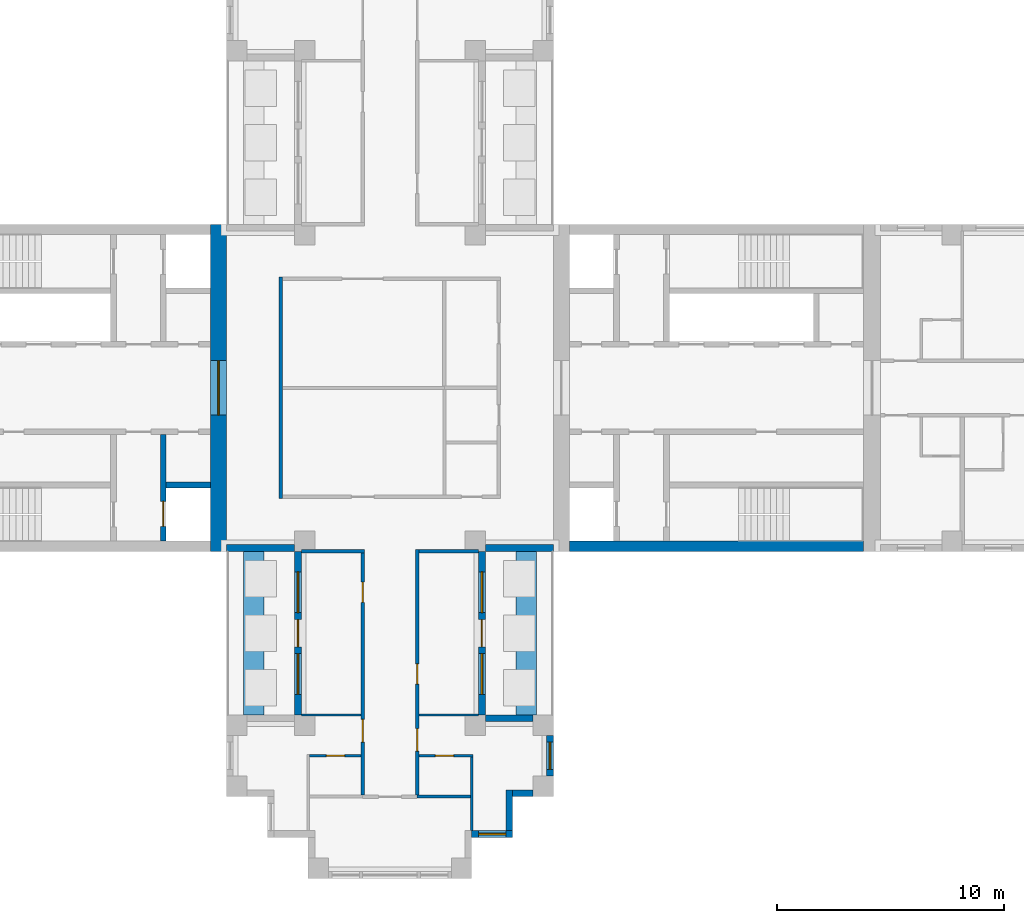
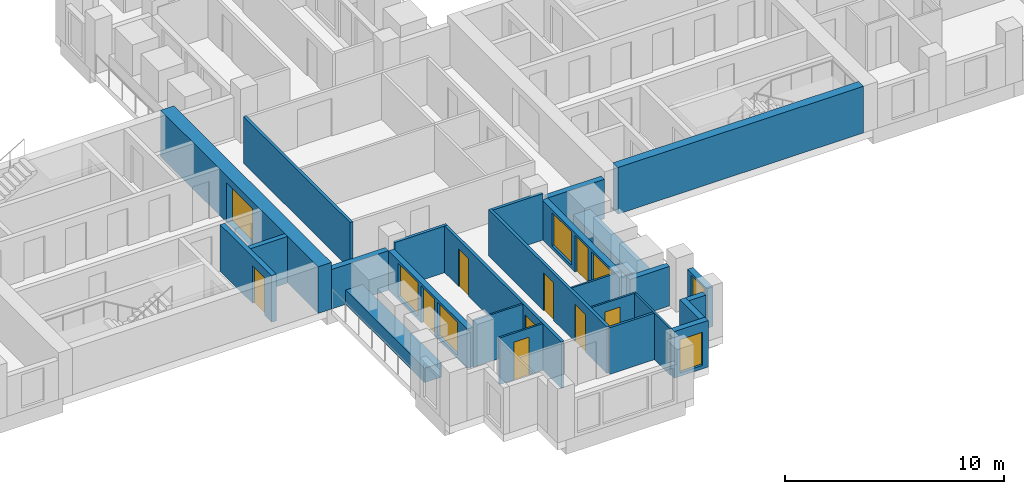
# One storey, part 5 of 12: 26 walls, 10 doors, 6 windows, 16 openings.
"""IFC4 building model written with IfcOpenShell, lengths in metres."""

from ifc_helpers import new_model, si_unit, direction, frame, frame_2d, origin, place, context, subcontext, project, spatial, rectangle, extrude, material, layer, layer_set, type_object, element, fill, save


model = new_model("IFC4")

# Units and contexts
model_context = context("Model", 3, precision=1e-05, world=origin(), true_north=direction((0.0, 1.0)))
body_context = subcontext(model_context, "Body", "Model", "MODEL_VIEW")
ifc_project = project(units=[si_unit("LENGTHUNIT", "METRE"), si_unit("AREAUNIT", "SQUARE_METRE"), si_unit("VOLUMEUNIT", "CUBIC_METRE"), si_unit("PLANEANGLEUNIT", "RADIAN"), si_unit("MASSUNIT", "GRAM", prefix="KILO")], contexts=[model_context])

# Site, building, storey
site_placement = place(None, origin())
site = spatial("IfcSite", under=ifc_project, at=site_placement, CompositionType="ELEMENT")
building_placement = place(site_placement, origin())
building = spatial("IfcBuilding", under=site, at=building_placement, Name="Fustian Cross Tower", CompositionType="ELEMENT")
storey_placement = place(building_placement, frame((0.0, 0.0, 132.300048828125)))
storey = spatial("IfcBuildingStorey", under=building, at=storey_placement, Name="L41", CompositionType="ELEMENT", Elevation=132.300048828125)

# Walls
ifc_material_1 = material(Name="Plasterboard on steel stud", Category="steel")
ifc_layer_1 = layer(ifc_material_1, 0.14990234375)
ifc_layer_set_1 = layer_set([ifc_layer_1], Name="Plasterboard on steel stud")
wall_type_1 = type_object("IfcWallType", Name="COMPARTMENT WALL 150 EI 60", PredefinedType="PARTITIONING", material=ifc_layer_set_1)
wall_1_placement = place(storey_placement, frame((-4.800048828125, -4.875, 0.0), z_axis=(0.0, 0.0, 1.0), x_axis=(0.0, 1.0, 0.0)))
element("IfcWall", 1, at=wall_1_placement, inside=storey, type_object=wall_type_1, Name="Partition 16", PredefinedType="PARTITIONING", context=body_context, shape_type="SweptSolid", body=[
    extrude(rectangle(XDim=9.75, YDim=0.14990234375, at=frame_2d((4.875, 0.0))), origin(), (0.0, 0.0, 1.0), 2.599853515625),
])
wall_2_placement = place(storey_placement, frame((-3.89990234375, -7.199951171875, 0.0), z_axis=(0.0, 0.0, 1.0), x_axis=(1.0, 0.0, 0.0)))
element("IfcWall", 2, at=wall_2_placement, inside=storey, type_object=wall_type_1, Name="Partition 21", PredefinedType="PARTITIONING", context=body_context, shape_type="SweptSolid", body=[
    extrude(rectangle(XDim=2.77490234375, YDim=0.14990234375, at=frame_2d((1.387451171875, 0.0))), origin(), (0.0, 0.0, 1.0), 2.599853515625),
])

# Wall, openings, doors
wall_3_placement = place(storey_placement, frame((-1.199951171875, -17.925048828125, 0.0), z_axis=(0.0, 0.0, 1.0), x_axis=(0.0, 1.0, 0.0)))
wall_3 = element("IfcWall", 3, at=wall_3_placement, inside=storey, type_object=wall_type_1, Name="Partition 29", PredefinedType="PARTITIONING", context=body_context, shape_type="SweptSolid", body=[
    extrude(rectangle(XDim=10.650146484375, YDim=0.14990234375, at=frame_2d((5.3251953125, 0.0))), origin(), (0.0, 0.0, 1.0), 2.599853515625),
])
opening_1_placement = place(wall_3_placement, frame((8.47509765625, 0.0, 0.0)))
opening_1 = element("IfcOpeningElement", 4, at=opening_1_placement, cuts=wall_3, Name="Opening D19034", PredefinedType="OPENING", context=body_context, shape_type="SweptSolid", body=[
    extrude(rectangle(XDim=0.89990234375, YDim=2.10009765625, at=frame_2d((0.449951171875, 1.050048828125))), frame((0.0, 0.0849609375, 0.0), z_axis=(0.0, -1.0, 0.0), x_axis=(1.0, 0.0, 0.0)), (0.0, 0.0, 1.0), 0.169921875),
])
opening_2_placement = place(wall_3_placement, frame((2.324951171875, 0.0, 0.0)))
opening_2 = element("IfcOpeningElement", 5, at=opening_2_placement, cuts=wall_3, Name="Opening D19036", PredefinedType="OPENING", context=body_context, shape_type="SweptSolid", body=[
    extrude(rectangle(XDim=1.0, YDim=2.10009765625, at=frame_2d((0.5, 1.050048828125))), frame((0.0, 0.0849609375, 0.0), z_axis=(0.0, -1.0, 0.0), x_axis=(1.0, 0.0, 0.0)), (0.0, 0.0, 1.0), 0.169921875),
])
ifc_material_2 = material(Name="Timber fire door set", Category="wood")
door_type_1 = type_object("IfcDoorType", Name="FIRE SWING DOOR 1000 FD30S", OperationType="SINGLE_SWING_LEFT", PredefinedType="DOOR", material=ifc_material_2)
door_1_placement = place(opening_2_placement, origin())
door_1 = element("IfcDoor", 6, at=door_1_placement, inside=storey, type_object=door_type_1, Name="Door D19036", OperationType="SINGLE_SWING_RIGHT", OverallHeight=2.10009765625, OverallWidth=1.0, PredefinedType="DOOR", context=body_context, shape_type="SweptSolid", body=[
    extrude(rectangle(XDim=1.0, YDim=2.10009765625, at=frame_2d((0.5, 1.050048828125))), frame((0.0, 0.02490234375, 0.0), z_axis=(0.0, -1.0, 0.0), x_axis=(1.0, 0.0, 0.0)), (0.0, 0.0, 1.0), 0.050048828125),
])
fill(opening_2, door_1)
ifc_material_3 = material(Name="Timber fire door set", Category="wood")
door_type_2 = type_object("IfcDoorType", Name="FIRE SWING DOOR 900 FD30S", OperationType="SINGLE_SWING_LEFT", PredefinedType="DOOR", material=ifc_material_3)
door_2_placement = place(opening_1_placement, origin())
door_2 = element("IfcDoor", 7, at=door_2_placement, inside=storey, type_object=door_type_2, Name="Door D19034", OperationType="SINGLE_SWING_RIGHT", OverallHeight=2.10009765625, OverallWidth=0.89990234375, PredefinedType="DOOR", context=body_context, shape_type="SweptSolid", body=[
    extrude(rectangle(XDim=0.89990234375, YDim=2.10009765625, at=frame_2d((0.449951171875, 1.050048828125))), frame((0.0, 0.02490234375, 0.0), z_axis=(0.0, -1.0, 0.0), x_axis=(1.0, 0.0, 0.0)), (0.0, 0.0, 1.0), 0.050048828125),
])
fill(opening_1, door_2)

wall_4_placement = place(storey_placement, frame((1.199951171875, -17.925048828125, 0.0), z_axis=(0.0, 0.0, 1.0), x_axis=(0.0, 1.0, 0.0)))
wall_4 = element("IfcWall", 8, at=wall_4_placement, inside=storey, type_object=wall_type_1, Name="Partition 33", PredefinedType="PARTITIONING", context=body_context, shape_type="SweptSolid", body=[
    extrude(rectangle(XDim=10.800048828125, YDim=0.14990234375, at=frame_2d((5.39990234375, 0.0))), origin(), (0.0, 0.0, 1.0), 2.599853515625),
])
opening_3_placement = place(wall_4_placement, frame((4.875, 0.0, 0.0)))
opening_3 = element("IfcOpeningElement", 9, at=opening_3_placement, cuts=wall_4, Name="Opening D19031", PredefinedType="OPENING", context=body_context, shape_type="SweptSolid", body=[
    extrude(rectangle(XDim=0.89990234375, YDim=2.10009765625, at=frame_2d((0.449951171875, 1.050048828125))), frame((0.0, 0.0849609375, 0.0), z_axis=(0.0, -1.0, 0.0), x_axis=(1.0, 0.0, 0.0)), (0.0, 0.0, 1.0), 0.169921875),
])
opening_4_placement = place(wall_4_placement, frame((1.925048828125, 0.0, 0.0)))
opening_4 = element("IfcOpeningElement", 10, at=opening_4_placement, cuts=wall_4, Name="Opening D19033", PredefinedType="OPENING", context=body_context, shape_type="SweptSolid", body=[
    extrude(rectangle(XDim=1.0, YDim=2.10009765625, at=frame_2d((0.5, 1.050048828125))), frame((0.0, 0.0849609375, 0.0), z_axis=(0.0, -1.0, 0.0), x_axis=(1.0, 0.0, 0.0)), (0.0, 0.0, 1.0), 0.169921875),
])
door_3_placement = place(opening_4_placement, frame((1.0, 0.0, 0.0), z_axis=(0.0, 0.0, 1.0), x_axis=(-1.0, 0.0, 0.0)))
door_3 = element("IfcDoor", 11, at=door_3_placement, inside=storey, type_object=door_type_1, Name="Door D19033", OperationType="SINGLE_SWING_RIGHT", OverallHeight=2.10009765625, OverallWidth=1.0, PredefinedType="DOOR", context=body_context, shape_type="SweptSolid", body=[
    extrude(rectangle(XDim=1.0, YDim=2.10009765625, at=frame_2d((0.5, 1.050048828125))), frame((0.0, 0.02490234375, 0.0), z_axis=(0.0, -1.0, 0.0), x_axis=(1.0, 0.0, 0.0)), (0.0, 0.0, 1.0), 0.050048828125),
])
fill(opening_4, door_3)
door_4_placement = place(opening_3_placement, frame((0.89990234375, 0.0, 0.0), z_axis=(0.0, 0.0, 1.0), x_axis=(-1.0, 0.0, 0.0)))
door_4 = element("IfcDoor", 12, at=door_4_placement, inside=storey, type_object=door_type_2, Name="Door D19031", OperationType="SINGLE_SWING_RIGHT", OverallHeight=2.10009765625, OverallWidth=0.89990234375, PredefinedType="DOOR", context=body_context, shape_type="SweptSolid", body=[
    extrude(rectangle(XDim=0.89990234375, YDim=2.10009765625, at=frame_2d((0.449951171875, 1.050048828125))), frame((0.0, 0.02490234375, 0.0), z_axis=(0.0, -1.0, 0.0), x_axis=(1.0, 0.0, 0.0)), (0.0, 0.0, 1.0), 0.050048828125),
])
fill(opening_3, door_4)

# Wall
wall_5_placement = place(storey_placement, frame((1.27490234375, -7.199951171875, 0.0), z_axis=(0.0, 0.0, 1.0), x_axis=(1.0, 0.0, 0.0)))
element("IfcWall", 13, at=wall_5_placement, inside=storey, type_object=wall_type_1, Name="Partition 37", PredefinedType="PARTITIONING", context=body_context, shape_type="SweptSolid", body=[
    extrude(rectangle(XDim=2.625, YDim=0.14990234375, at=frame_2d((1.3125, 0.0))), origin(), (0.0, 0.0, 1.0), 2.599853515625),
])

# Wall, opening, door
ifc_material_4 = material(Name="Concrete C60/75", Category="concrete")
ifc_layer_2 = layer(ifc_material_4, 0.699951171875)
ifc_layer_set_2 = layer_set([ifc_layer_2], Name="Concrete C60/75")
wall_type_2 = type_object("IfcWallType", Name="CORE END WALL 700 C60/75", PredefinedType="SHEAR", material=ifc_layer_set_2)
wall_6_placement = place(storey_placement, frame((-7.550048828125, -7.199951171875, 0.0), z_axis=(0.0, 0.0, 1.0), x_axis=(0.0, 1.0, 0.0)))
wall_6 = element("IfcWall", 14, at=wall_6_placement, inside=storey, type_object=wall_type_2, Name="Core end wall", PredefinedType="SHEAR", context=body_context, shape_type="SweptSolid", body=[
    extrude(rectangle(XDim=14.39990234375, YDim=0.699951171875, at=frame_2d((7.199951171875, 0.0))), origin(), (0.0, 0.0, 1.0), 2.599853515625),
])
opening_5_placement = place(wall_6_placement, frame((6.0, 0.0, 0.0)))
opening_5 = element("IfcOpeningElement", 15, at=opening_5_placement, cuts=wall_6, Name="Opening CD-17-27", PredefinedType="OPENING", context=body_context, shape_type="SweptSolid", body=[
    extrude(rectangle(XDim=2.39990234375, YDim=2.199951171875, at=frame_2d((1.199951171875, 1.10009765625))), frame((0.0, 0.35986328125, 0.0), z_axis=(0.0, -1.0, 0.0), x_axis=(1.0, 0.0, 0.0)), (0.0, 0.0, 1.0), 0.719970703125),
])
ifc_material_5 = material(Name="Steel", Category="steel")
door_type_3 = type_object("IfcDoorType", Name="FIRE DOOR FD30S DOUBLE 2400X2200", OperationType="DOUBLE_DOOR_DOUBLE_SWING", PredefinedType="DOOR", material=ifc_material_5)
door_5_placement = place(opening_5_placement, origin())
door_5 = element("IfcDoor", 16, at=door_5_placement, inside=storey, type_object=door_type_3, Name="Core door CD-17-27", OperationType="DOUBLE_DOOR_DOUBLE_SWING", OverallHeight=2.199951171875, OverallWidth=2.39990234375, PredefinedType="DOOR", context=body_context, shape_type="SweptSolid", body=[
    extrude(rectangle(XDim=2.39990234375, YDim=2.199951171875, at=frame_2d((1.199951171875, 1.10009765625))), frame((0.0, 0.02490234375, 0.0), z_axis=(0.0, -1.0, 0.0), x_axis=(1.0, 0.0, 0.0)), (0.0, 0.0, 1.0), 0.050048828125),
])
fill(opening_5, door_5)

# Walls
ifc_material_6 = material(Name="Concrete C60/75", Category="concrete")
ifc_layer_3 = layer(ifc_material_6, 0.449951171875)
ifc_layer_set_3 = layer_set([ifc_layer_3], Name="Concrete C60/75")
wall_type_3 = type_object("IfcWallType", Name="CORE FACADE WALL 450 C60/75", PredefinedType="SHEAR", material=ifc_layer_set_3)
wall_7_placement = place(storey_placement, frame((7.89990234375, -6.97509765625, 0.0), z_axis=(0.0, 0.0, 1.0), x_axis=(1.0, 0.0, 0.0)))
element("IfcWall", 17, at=wall_7_placement, inside=storey, type_object=wall_type_3, Name="Core facade wall", PredefinedType="SHEAR", context=body_context, shape_type="SweptSolid", body=[
    extrude(rectangle(XDim=12.9501953125, YDim=0.449951171875, at=frame_2d((6.47509765625, 0.0))), origin(), (0.0, 0.0, 1.0), 2.599853515625),
])
ifc_material_7 = material(Name="Concrete C50/60", Category="concrete")
ifc_layer_4 = layer(ifc_material_7, 0.25)
ifc_layer_set_4 = layer_set([ifc_layer_4], Name="Concrete C50/60")
wall_type_4 = type_object("IfcWallType", Name="CORE SHAFT WALL 250 C50/60", PredefinedType="SHEAR", material=ifc_layer_set_4)
wall_8_placement = place(storey_placement, frame((-7.89990234375, -4.27490234375, 0.0), z_axis=(0.0, 0.0, 1.0), x_axis=(-1.0, 0.0, 0.0)))
element("IfcWall", 18, at=wall_8_placement, inside=storey, type_object=wall_type_4, Name="Core shaft wall", PredefinedType="SHEAR", context=body_context, shape_type="SweptSolid", body=[
    extrude(rectangle(XDim=1.9501953125, YDim=0.25, at=frame_2d((0.97509765625, 0.0))), origin(), (0.0, 0.0, 1.0), 2.599853515625),
])

# Wall, opening, door
wall_9_placement = place(storey_placement, frame((-9.97509765625, -2.050048828125, 0.0), z_axis=(0.0, 0.0, 1.0), x_axis=(0.0, -1.0, 0.0)))
wall_9 = element("IfcWall", 19, at=wall_9_placement, inside=storey, type_object=wall_type_4, Name="Core shaft wall", PredefinedType="SHEAR", context=body_context, shape_type="SweptSolid", body=[
    extrude(rectangle(XDim=4.699951171875, YDim=0.25, at=frame_2d((2.35009765625, 0.0))), origin(), (0.0, 0.0, 1.0), 2.599853515625),
])
opening_6_placement = place(wall_9_placement, frame((2.949951171875, 0.0, 0.0)))
opening_6 = element("IfcOpeningElement", 20, at=opening_6_placement, cuts=wall_9, Name="Opening LD", PredefinedType="OPENING", context=body_context, shape_type="SweptSolid", body=[
    extrude(rectangle(XDim=1.10009765625, YDim=2.10009765625, at=frame_2d((0.550048828125, 1.050048828125))), frame((0.0, 0.135009765625, 0.0), z_axis=(0.0, -1.0, 0.0), x_axis=(1.0, 0.0, 0.0)), (0.0, 0.0, 1.0), 0.27001953125),
])
ifc_material_8 = material(Name="Stainless steel", Category="steel")
door_type_4 = type_object("IfcDoorType", Name="LIFT LANDING DOOR 1100X2100", OperationType="SLIDING_TO_LEFT", PredefinedType="DOOR", material=ifc_material_8)
door_6_placement = place(opening_6_placement, origin())
door_6 = element("IfcDoor", 21, at=door_6_placement, inside=storey, type_object=door_type_4, Name="Landing door SV1W", OperationType="SLIDING_TO_LEFT", OverallHeight=2.10009765625, OverallWidth=1.10009765625, PredefinedType="DOOR", context=body_context, shape_type="SweptSolid", body=[
    extrude(rectangle(XDim=1.10009765625, YDim=2.10009765625, at=frame_2d((0.550048828125, 1.050048828125))), frame((0.0, 0.02490234375, 0.0), z_axis=(0.0, -1.0, 0.0), x_axis=(1.0, 0.0, 0.0)), (0.0, 0.0, 1.0), 0.050048828125),
])
fill(opening_6, door_6)

# Wall
ifc_material_9 = material(Name="Plasterboard on steel stud", Category="steel")
ifc_layer_5 = layer(ifc_material_9, 0.10009765625)
ifc_layer_set_5 = layer_set([ifc_layer_5], Name="Plasterboard on steel stud")
wall_type_5 = type_object("IfcWallType", Name="PARTITION 100 STUD", PredefinedType="PARTITIONING", material=ifc_layer_set_5)
wall_10_placement = place(storey_placement, frame((-3.89990234375, -14.39990234375, 0.0), z_axis=(0.0, 0.0, 1.0), x_axis=(1.0, 0.0, 0.0)))
element("IfcWall", 22, at=wall_10_placement, inside=storey, type_object=wall_type_5, Name="Partition 20", PredefinedType="PARTITIONING", context=body_context, shape_type="SweptSolid", body=[
    extrude(rectangle(XDim=2.625, YDim=0.10009765625, at=frame_2d((1.3125, 0.0))), origin(), (0.0, 0.0, 1.0), 2.599853515625),
])

# Wall, opening, door
wall_11_placement = place(storey_placement, frame((-3.550048828125, -16.199951171875, 0.0), z_axis=(0.0, 0.0, 1.0), x_axis=(1.0, 0.0, 0.0)))
wall_11 = element("IfcWall", 23, at=wall_11_placement, inside=storey, type_object=wall_type_5, Name="Partition 26", PredefinedType="PARTITIONING", context=body_context, shape_type="SweptSolid", body=[
    extrude(rectangle(XDim=2.275146484375, YDim=0.10009765625, at=frame_2d((1.1376953125, 0.0))), origin(), (0.0, 0.0, 1.0), 2.599853515625),
])
opening_7_placement = place(wall_11_placement, frame((0.75, 0.0, 0.0)))
opening_7 = element("IfcOpeningElement", 24, at=opening_7_placement, cuts=wall_11, Name="Opening D19035", PredefinedType="OPENING", context=body_context, shape_type="SweptSolid", body=[
    extrude(rectangle(XDim=0.800048828125, YDim=2.10009765625, at=frame_2d((0.39990234375, 1.050048828125))), frame((0.0, 0.06005859375, 0.0), z_axis=(0.0, -1.0, 0.0), x_axis=(1.0, 0.0, 0.0)), (0.0, 0.0, 1.0), 0.1201171875),
])
ifc_material_10 = material(Name="Painted timber", Category="wood")
door_type_5 = type_object("IfcDoorType", Name="SWING DOOR 800", OperationType="SINGLE_SWING_LEFT", PredefinedType="DOOR", material=ifc_material_10)
door_7_placement = place(opening_7_placement, frame((0.800048828125, 0.0, 0.0), z_axis=(0.0, 0.0, 1.0), x_axis=(-1.0, 0.0, 0.0)))
door_7 = element("IfcDoor", 25, at=door_7_placement, inside=storey, type_object=door_type_5, Name="Door D19035", OperationType="SINGLE_SWING_RIGHT", OverallHeight=2.10009765625, OverallWidth=0.800048828125, PredefinedType="DOOR", context=body_context, shape_type="SweptSolid", body=[
    extrude(rectangle(XDim=0.800048828125, YDim=2.10009765625, at=frame_2d((0.39990234375, 1.050048828125))), frame((0.0, 0.02490234375, 0.0), z_axis=(0.0, -1.0, 0.0), x_axis=(1.0, 0.0, 0.0)), (0.0, 0.0, 1.0), 0.050048828125),
])
fill(opening_7, door_7)

wall_12_placement = place(storey_placement, frame((1.27490234375, -16.199951171875, 0.0), z_axis=(0.0, 0.0, 1.0), x_axis=(1.0, 0.0, 0.0)))
wall_12 = element("IfcWall", 26, at=wall_12_placement, inside=storey, type_object=wall_type_5, Name="Partition 35", PredefinedType="PARTITIONING", context=body_context, shape_type="SweptSolid", body=[
    extrude(rectangle(XDim=2.375, YDim=0.10009765625, at=frame_2d((1.1875, 0.0))), origin(), (0.0, 0.0, 1.0), 2.599853515625),
])
opening_8_placement = place(wall_12_placement, frame((0.72509765625, 0.0, 0.0)))
opening_8 = element("IfcOpeningElement", 27, at=opening_8_placement, cuts=wall_12, Name="Opening D19032", PredefinedType="OPENING", context=body_context, shape_type="SweptSolid", body=[
    extrude(rectangle(XDim=0.800048828125, YDim=2.10009765625, at=frame_2d((0.39990234375, 1.050048828125))), frame((0.0, 0.06005859375, 0.0), z_axis=(0.0, -1.0, 0.0), x_axis=(1.0, 0.0, 0.0)), (0.0, 0.0, 1.0), 0.1201171875),
])
door_8_placement = place(opening_8_placement, frame((0.800048828125, 0.0, 0.0), z_axis=(0.0, 0.0, 1.0), x_axis=(-1.0, 0.0, 0.0)))
door_8 = element("IfcDoor", 28, at=door_8_placement, inside=storey, type_object=door_type_5, Name="Door D19032", OperationType="SINGLE_SWING_RIGHT", OverallHeight=2.10009765625, OverallWidth=0.800048828125, PredefinedType="DOOR", context=body_context, shape_type="SweptSolid", body=[
    extrude(rectangle(XDim=0.800048828125, YDim=2.10009765625, at=frame_2d((0.39990234375, 1.050048828125))), frame((0.0, 0.02490234375, 0.0), z_axis=(0.0, -1.0, 0.0), x_axis=(1.0, 0.0, 0.0)), (0.0, 0.0, 1.0), 0.050048828125),
])
fill(opening_8, door_8)

# Walls
wall_13_placement = place(storey_placement, frame((1.27490234375, -14.39990234375, 0.0), z_axis=(0.0, 0.0, 1.0), x_axis=(1.0, 0.0, 0.0)))
element("IfcWall", 29, at=wall_13_placement, inside=storey, type_object=wall_type_5, Name="Partition 36", PredefinedType="PARTITIONING", context=body_context, shape_type="SweptSolid", body=[
    extrude(rectangle(XDim=2.625, YDim=0.10009765625, at=frame_2d((1.3125, 0.0))), origin(), (0.0, 0.0, 1.0), 2.599853515625),
])
wall_14_placement = place(storey_placement, frame((3.60009765625, -19.5, 0.0), z_axis=(0.0, 0.0, 1.0), x_axis=(0.0, 1.0, 0.0)))
element("IfcWall", 30, at=wall_14_placement, inside=storey, type_object=wall_type_5, Name="Partition 46", PredefinedType="PARTITIONING", context=body_context, shape_type="SweptSolid", body=[
    extrude(rectangle(XDim=3.25, YDim=0.10009765625, at=frame_2d((1.625, 0.0))), origin(), (0.0, 0.0, 1.0), 2.599853515625),
])
ifc_material_11 = material(Name="Concrete C40/50", Category="concrete")
ifc_layer_6 = layer(ifc_material_11, 0.89990234375)
ifc_layer_set_6 = layer_set([ifc_layer_6], Name="Concrete C40/50")
wall_type_6 = type_object("IfcWallType", Name="PK1 PLANTER 900", PredefinedType="PARAPET", material=ifc_layer_set_6)
for number, where, z_axis, x_axis, name in (
    (31, (6.0, -14.39990234375, 0.0), (0.0, 0.0, 1.0), (0.0, 1.0, 0.0), "PLANTER"),
    (32, (-6.0, -14.39990234375, 0.0), (0.0, 0.0, 1.0), (0.0, 1.0, 0.0), "PLANTER"),
):
    element("IfcWall", number, at=place(storey_placement, frame(where, z_axis=z_axis, x_axis=x_axis)), inside=storey, type_object=wall_type_6, Name=name, PredefinedType="PARAPET", context=body_context, shape_type="SweptSolid", body=[
        extrude(rectangle(XDim=7.199951171875, YDim=0.89990234375, at=frame_2d((3.60009765625, 0.0))), origin(), (0.0, 0.0, 1.0), 0.800048828125),
    ])
ifc_material_12 = material(Name="Plasterboard on steel stud", Category="steel")
ifc_layer_7 = layer(ifc_material_12, 0.125)
ifc_layer_set_7 = layer_set([ifc_layer_7], Name="Plasterboard on steel stud")
wall_type_7 = type_object("IfcWallType", Name="WET WALL 125 STUD", PredefinedType="PARTITIONING", material=ifc_layer_set_7)
wall_15_placement = place(storey_placement, frame((1.199951171875, -18.0, 0.0), z_axis=(0.0, 0.0, 1.0), x_axis=(1.0, 0.0, 0.0)))
element("IfcWall", 33, at=wall_15_placement, inside=storey, type_object=wall_type_7, Name="Partition 34", PredefinedType="PARTITIONING", context=body_context, shape_type="SweptSolid", body=[
    extrude(rectangle(XDim=2.35009765625, YDim=0.125, at=frame_2d((1.175048828125, 0.0))), origin(), (0.0, 0.0, 1.0), 2.599853515625),
])
ifc_material_13 = material(Name="Dark aluminium cladding on insulated backing wall", Category="aluminium")
ifc_layer_8 = layer(ifc_material_13, 0.300048828125)
ifc_layer_set_8 = layer_set([ifc_layer_8], Name="Dark aluminium cladding on insulated backing wall")
wall_type_8 = type_object("IfcWallType", Name="XW1 EXTERNAL WALL 300", PredefinedType="SOLIDWALL", material=ifc_layer_set_8)
wall_16_placement = place(storey_placement, frame((-7.199951171875, -7.050048828125, 0.0), z_axis=(0.0, 0.0, 1.0), x_axis=(1.0, 0.0, 0.0)))
element("IfcWall", 34, at=wall_16_placement, inside=storey, type_object=wall_type_8, Name="External wall", PredefinedType="SOLIDWALL", context=body_context, shape_type="SweptSolid", body=[
    extrude(rectangle(XDim=3.0, YDim=0.300048828125, at=frame_2d((1.5, 0.0))), origin(), (0.0, 0.0, 1.0), 2.199951171875),
])

# Wall, openings, door, windows
wall_17_placement = place(storey_placement, frame((-4.050048828125, -7.199951171875, 0.0), z_axis=(0.0, 0.0, 1.0), x_axis=(0.0, -1.0, 0.0)))
wall_17 = element("IfcWall", 35, at=wall_17_placement, inside=storey, type_object=wall_type_8, Name="External wall", PredefinedType="SOLIDWALL", context=body_context, shape_type="SweptSolid", body=[
    extrude(rectangle(XDim=7.199951171875, YDim=0.300048828125, at=frame_2d((3.60009765625, 0.0))), origin(), (0.0, 0.0, 1.0), 2.199951171875),
])
opening_9_placement = place(wall_17_placement, frame((3.0, 0.0, 0.0)))
opening_9 = element("IfcOpeningElement", 36, at=opening_9_placement, cuts=wall_17, Name="Opening XD4", PredefinedType="OPENING", context=body_context, shape_type="SweptSolid", body=[
    extrude(rectangle(XDim=1.199951171875, YDim=2.050048828125, at=frame_2d((0.60009765625, 1.02490234375))), frame((0.0, 0.159912109375, 0.0), z_axis=(0.0, -1.0, 0.0), x_axis=(1.0, 0.0, 0.0)), (0.0, 0.0, 1.0), 0.320068359375),
])
opening_10_placement = place(wall_17_placement, frame((0.89990234375, 0.0, 0.199951171875)))
opening_10 = element("IfcOpeningElement", 37, at=opening_10_placement, cuts=wall_17, Name="Opening WN2", PredefinedType="OPENING", context=body_context, shape_type="SweptSolid", body=[
    extrude(rectangle(XDim=1.800048828125, YDim=1.85009765625, at=frame_2d((0.89990234375, 0.925048828125))), frame((0.0, 0.159912109375, 0.0), z_axis=(0.0, -1.0, 0.0), x_axis=(1.0, 0.0, 0.0)), (0.0, 0.0, 1.0), 0.320068359375),
])
opening_11_placement = place(wall_17_placement, frame((4.5, 0.0, 0.199951171875)))
opening_11 = element("IfcOpeningElement", 38, at=opening_11_placement, cuts=wall_17, Name="Opening WN2", PredefinedType="OPENING", context=body_context, shape_type="SweptSolid", body=[
    extrude(rectangle(XDim=1.800048828125, YDim=1.85009765625, at=frame_2d((0.89990234375, 0.925048828125))), frame((0.0, 0.159912109375, 0.0), z_axis=(0.0, -1.0, 0.0), x_axis=(1.0, 0.0, 0.0)), (0.0, 0.0, 1.0), 0.320068359375),
])
ifc_material_14 = material(Name="Dark anodised aluminium and double glazing", Category="aluminium")
door_type_6 = type_object("IfcDoorType", Name="ED1 BALCONY DOOR 1200X2050", OperationType="SINGLE_SWING_LEFT", PredefinedType="DOOR", material=ifc_material_14)
door_9_placement = place(opening_9_placement, origin())
door_9 = element("IfcDoor", 39, at=door_9_placement, inside=storey, type_object=door_type_6, Name="Balcony door", OperationType="SINGLE_SWING_LEFT", OverallHeight=2.050048828125, OverallWidth=1.199951171875, PredefinedType="DOOR", context=body_context, shape_type="SweptSolid", body=[
    extrude(rectangle(XDim=1.199951171875, YDim=2.050048828125, at=frame_2d((0.60009765625, 1.02490234375))), frame((0.0, 0.02490234375, 0.0), z_axis=(0.0, -1.0, 0.0), x_axis=(1.0, 0.0, 0.0)), (0.0, 0.0, 1.0), 0.050048828125),
])
fill(opening_9, door_9)
ifc_material_15 = material(Name="Dark anodised aluminium and double glazing", Category="aluminium")
window_type_1 = type_object("IfcWindowType", Name="WN2 WINDOW 1800X1850", PartitioningType="SINGLE_PANEL", PredefinedType="WINDOW", material=ifc_material_15)
window_1_placement = place(opening_10_placement, origin())
window_1 = element("IfcWindow", 40, at=window_1_placement, inside=storey, type_object=window_type_1, Name="Window", OverallHeight=1.85009765625, OverallWidth=1.800048828125, PartitioningType="SINGLE_PANEL", PredefinedType="WINDOW", context=body_context, shape_type="SweptSolid", body=[
    extrude(rectangle(XDim=1.800048828125, YDim=1.85009765625, at=frame_2d((0.89990234375, 0.925048828125))), frame((0.0, 0.030029296875, 0.0), z_axis=(0.0, -1.0, 0.0), x_axis=(1.0, 0.0, 0.0)), (0.0, 0.0, 1.0), 0.06005859375),
])
fill(opening_10, window_1)
window_2_placement = place(opening_11_placement, origin())
window_2 = element("IfcWindow", 41, at=window_2_placement, inside=storey, type_object=window_type_1, Name="Window", OverallHeight=1.85009765625, OverallWidth=1.800048828125, PartitioningType="SINGLE_PANEL", PredefinedType="WINDOW", context=body_context, shape_type="SweptSolid", body=[
    extrude(rectangle(XDim=1.800048828125, YDim=1.85009765625, at=frame_2d((0.89990234375, 0.925048828125))), frame((0.0, 0.030029296875, 0.0), z_axis=(0.0, -1.0, 0.0), x_axis=(1.0, 0.0, 0.0)), (0.0, 0.0, 1.0), 0.06005859375),
])
fill(opening_11, window_2)

# Wall, opening, window
wall_18_placement = place(storey_placement, frame((3.60009765625, -19.64990234375, 0.0), z_axis=(0.0, 0.0, 1.0), x_axis=(1.0, 0.0, 0.0)))
wall_18 = element("IfcWall", 42, at=wall_18_placement, inside=storey, type_object=wall_type_8, Name="External wall", PredefinedType="SOLIDWALL", context=body_context, shape_type="SweptSolid", body=[
    extrude(rectangle(XDim=1.7998046875, YDim=0.300048828125, at=frame_2d((0.89990234375, 0.0))), origin(), (0.0, 0.0, 1.0), 2.599853515625),
])
opening_12_placement = place(wall_18_placement, frame((0.300048828125, 0.0, 0.199951171875)))
opening_12 = element("IfcOpeningElement", 43, at=opening_12_placement, cuts=wall_18, Name="Opening WN3", PredefinedType="OPENING", context=body_context, shape_type="SweptSolid", body=[
    extrude(rectangle(XDim=1.199951171875, YDim=1.85009765625, at=frame_2d((0.60009765625, 0.925048828125))), frame((0.0, 0.159912109375, 0.0), z_axis=(0.0, -1.0, 0.0), x_axis=(1.0, 0.0, 0.0)), (0.0, 0.0, 1.0), 0.320068359375),
])
ifc_material_16 = material(Name="Dark anodised aluminium and double glazing", Category="aluminium")
window_type_2 = type_object("IfcWindowType", Name="WN3 WINDOW 1200X1850", PartitioningType="SINGLE_PANEL", PredefinedType="WINDOW", material=ifc_material_16)
window_3_placement = place(opening_12_placement, origin())
window_3 = element("IfcWindow", 44, at=window_3_placement, inside=storey, type_object=window_type_2, Name="Window", OverallHeight=1.85009765625, OverallWidth=1.199951171875, PartitioningType="SINGLE_PANEL", PredefinedType="WINDOW", context=body_context, shape_type="SweptSolid", body=[
    extrude(rectangle(XDim=1.199951171875, YDim=1.85009765625, at=frame_2d((0.60009765625, 0.925048828125))), frame((0.0, 0.030029296875, 0.0), z_axis=(0.0, -1.0, 0.0), x_axis=(1.0, 0.0, 0.0)), (0.0, 0.0, 1.0), 0.06005859375),
])
fill(opening_12, window_3)

# Walls
wall_19_placement = place(storey_placement, frame((5.25, -19.5, 0.0), z_axis=(0.0, 0.0, 1.0), x_axis=(0.0, 1.0, 0.0)))
element("IfcWall", 45, at=wall_19_placement, inside=storey, type_object=wall_type_8, Name="External wall", PredefinedType="SOLIDWALL", context=body_context, shape_type="SweptSolid", body=[
    extrude(rectangle(XDim=1.800048828125, YDim=0.300048828125, at=frame_2d((0.89990234375, 0.0))), origin(), (0.0, 0.0, 1.0), 2.599853515625),
])
wall_20_placement = place(storey_placement, frame((5.39990234375, -17.85009765625, 0.0), z_axis=(0.0, 0.0, 1.0), x_axis=(1.0, 0.0, 0.0)))
element("IfcWall", 46, at=wall_20_placement, inside=storey, type_object=wall_type_8, Name="External wall", PredefinedType="SOLIDWALL", context=body_context, shape_type="SweptSolid", body=[
    extrude(rectangle(XDim=0.900146484375, YDim=0.300048828125, at=frame_2d((0.4501953125, 0.0))), origin(), (0.0, 0.0, 1.0), 2.599853515625),
])

# Wall, opening, window
wall_21_placement = place(storey_placement, frame((7.050048828125, -17.10009765625, 0.0), z_axis=(0.0, 0.0, 1.0), x_axis=(0.0, 1.0, 0.0)))
wall_21 = element("IfcWall", 47, at=wall_21_placement, inside=storey, type_object=wall_type_8, Name="External wall", PredefinedType="SOLIDWALL", context=body_context, shape_type="SweptSolid", body=[
    extrude(rectangle(XDim=1.800048828125, YDim=0.300048828125, at=frame_2d((0.89990234375, 0.0))), origin(), (0.0, 0.0, 1.0), 2.199951171875),
])
opening_13_placement = place(wall_21_placement, frame((0.300048828125, 0.0, 0.199951171875)))
opening_13 = element("IfcOpeningElement", 48, at=opening_13_placement, cuts=wall_21, Name="Opening WN3", PredefinedType="OPENING", context=body_context, shape_type="SweptSolid", body=[
    extrude(rectangle(XDim=1.199951171875, YDim=1.85009765625, at=frame_2d((0.60009765625, 0.925048828125))), frame((0.0, 0.159912109375, 0.0), z_axis=(0.0, -1.0, 0.0), x_axis=(1.0, 0.0, 0.0)), (0.0, 0.0, 1.0), 0.320068359375),
])
window_4_placement = place(opening_13_placement, origin())
window_4 = element("IfcWindow", 49, at=window_4_placement, inside=storey, type_object=window_type_2, Name="Window", OverallHeight=1.85009765625, OverallWidth=1.199951171875, PartitioningType="SINGLE_PANEL", PredefinedType="WINDOW", context=body_context, shape_type="SweptSolid", body=[
    extrude(rectangle(XDim=1.199951171875, YDim=1.85009765625, at=frame_2d((0.60009765625, 0.925048828125))), frame((0.0, 0.030029296875, 0.0), z_axis=(0.0, -1.0, 0.0), x_axis=(1.0, 0.0, 0.0)), (0.0, 0.0, 1.0), 0.06005859375),
])
fill(opening_13, window_4)

# Wall
wall_22_placement = place(storey_placement, frame((6.300048828125, -14.550048828125, 0.0), z_axis=(0.0, 0.0, 1.0), x_axis=(-1.0, 0.0, 0.0)))
element("IfcWall", 50, at=wall_22_placement, inside=storey, type_object=wall_type_8, Name="External wall", PredefinedType="SOLIDWALL", context=body_context, shape_type="SweptSolid", body=[
    extrude(rectangle(XDim=2.10009765625, YDim=0.300048828125, at=frame_2d((1.050048828125, 0.0))), origin(), (0.0, 0.0, 1.0), 2.199951171875),
])

# Wall, openings, door, windows
wall_23_placement = place(storey_placement, frame((4.050048828125, -14.39990234375, 0.0), z_axis=(0.0, 0.0, 1.0), x_axis=(0.0, 1.0, 0.0)))
wall_23 = element("IfcWall", 51, at=wall_23_placement, inside=storey, type_object=wall_type_8, Name="External wall", PredefinedType="SOLIDWALL", context=body_context, shape_type="SweptSolid", body=[
    extrude(rectangle(XDim=7.199951171875, YDim=0.300048828125, at=frame_2d((3.60009765625, 0.0))), origin(), (0.0, 0.0, 1.0), 2.199951171875),
])
opening_14_placement = place(wall_23_placement, frame((3.0, 0.0, 0.0)))
opening_14 = element("IfcOpeningElement", 52, at=opening_14_placement, cuts=wall_23, Name="Opening XD3", PredefinedType="OPENING", context=body_context, shape_type="SweptSolid", body=[
    extrude(rectangle(XDim=1.199951171875, YDim=2.050048828125, at=frame_2d((0.60009765625, 1.02490234375))), frame((0.0, 0.159912109375, 0.0), z_axis=(0.0, -1.0, 0.0), x_axis=(1.0, 0.0, 0.0)), (0.0, 0.0, 1.0), 0.320068359375),
])
opening_15_placement = place(wall_23_placement, frame((0.89990234375, 0.0, 0.199951171875)))
opening_15 = element("IfcOpeningElement", 53, at=opening_15_placement, cuts=wall_23, Name="Opening WN2", PredefinedType="OPENING", context=body_context, shape_type="SweptSolid", body=[
    extrude(rectangle(XDim=1.800048828125, YDim=1.85009765625, at=frame_2d((0.89990234375, 0.925048828125))), frame((0.0, 0.159912109375, 0.0), z_axis=(0.0, -1.0, 0.0), x_axis=(1.0, 0.0, 0.0)), (0.0, 0.0, 1.0), 0.320068359375),
])
opening_16_placement = place(wall_23_placement, frame((4.5, 0.0, 0.199951171875)))
opening_16 = element("IfcOpeningElement", 54, at=opening_16_placement, cuts=wall_23, Name="Opening WN2", PredefinedType="OPENING", context=body_context, shape_type="SweptSolid", body=[
    extrude(rectangle(XDim=1.800048828125, YDim=1.85009765625, at=frame_2d((0.89990234375, 0.925048828125))), frame((0.0, 0.159912109375, 0.0), z_axis=(0.0, -1.0, 0.0), x_axis=(1.0, 0.0, 0.0)), (0.0, 0.0, 1.0), 0.320068359375),
])
door_10_placement = place(opening_14_placement, origin())
door_10 = element("IfcDoor", 55, at=door_10_placement, inside=storey, type_object=door_type_6, Name="Balcony door", OperationType="SINGLE_SWING_LEFT", OverallHeight=2.050048828125, OverallWidth=1.199951171875, PredefinedType="DOOR", context=body_context, shape_type="SweptSolid", body=[
    extrude(rectangle(XDim=1.199951171875, YDim=2.050048828125, at=frame_2d((0.60009765625, 1.02490234375))), frame((0.0, 0.02490234375, 0.0), z_axis=(0.0, -1.0, 0.0), x_axis=(1.0, 0.0, 0.0)), (0.0, 0.0, 1.0), 0.050048828125),
])
fill(opening_14, door_10)
window_5_placement = place(opening_15_placement, origin())
window_5 = element("IfcWindow", 56, at=window_5_placement, inside=storey, type_object=window_type_1, Name="Window", OverallHeight=1.85009765625, OverallWidth=1.800048828125, PartitioningType="SINGLE_PANEL", PredefinedType="WINDOW", context=body_context, shape_type="SweptSolid", body=[
    extrude(rectangle(XDim=1.800048828125, YDim=1.85009765625, at=frame_2d((0.89990234375, 0.925048828125))), frame((0.0, 0.030029296875, 0.0), z_axis=(0.0, -1.0, 0.0), x_axis=(1.0, 0.0, 0.0)), (0.0, 0.0, 1.0), 0.06005859375),
])
fill(opening_15, window_5)
window_6_placement = place(opening_16_placement, origin())
window_6 = element("IfcWindow", 57, at=window_6_placement, inside=storey, type_object=window_type_1, Name="Window", OverallHeight=1.85009765625, OverallWidth=1.800048828125, PartitioningType="SINGLE_PANEL", PredefinedType="WINDOW", context=body_context, shape_type="SweptSolid", body=[
    extrude(rectangle(XDim=1.800048828125, YDim=1.85009765625, at=frame_2d((0.89990234375, 0.925048828125))), frame((0.0, 0.030029296875, 0.0), z_axis=(0.0, -1.0, 0.0), x_axis=(1.0, 0.0, 0.0)), (0.0, 0.0, 1.0), 0.06005859375),
])
fill(opening_16, window_6)

# Wall
wall_24_placement = place(storey_placement, frame((4.199951171875, -7.050048828125, 0.0), z_axis=(0.0, 0.0, 1.0), x_axis=(1.0, 0.0, 0.0)))
element("IfcWall", 58, at=wall_24_placement, inside=storey, type_object=wall_type_8, Name="External wall", PredefinedType="SOLIDWALL", context=body_context, shape_type="SweptSolid", body=[
    extrude(rectangle(XDim=3.0, YDim=0.300048828125, at=frame_2d((1.5, 0.0))), origin(), (0.0, 0.0, 1.0), 2.199951171875),
])

save(model, "model.ifc")
